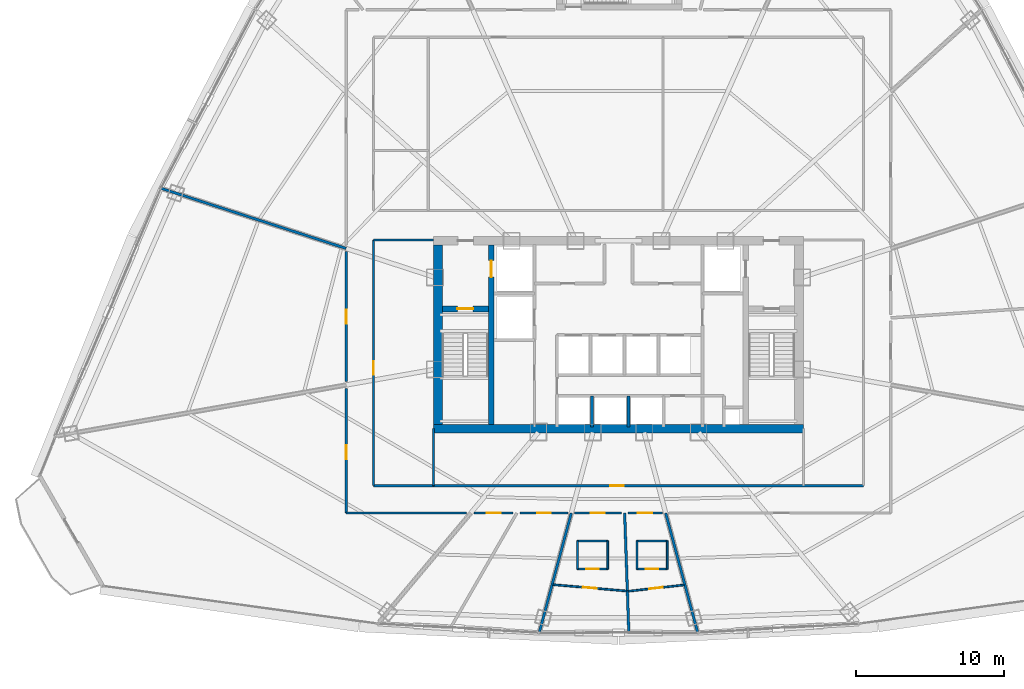
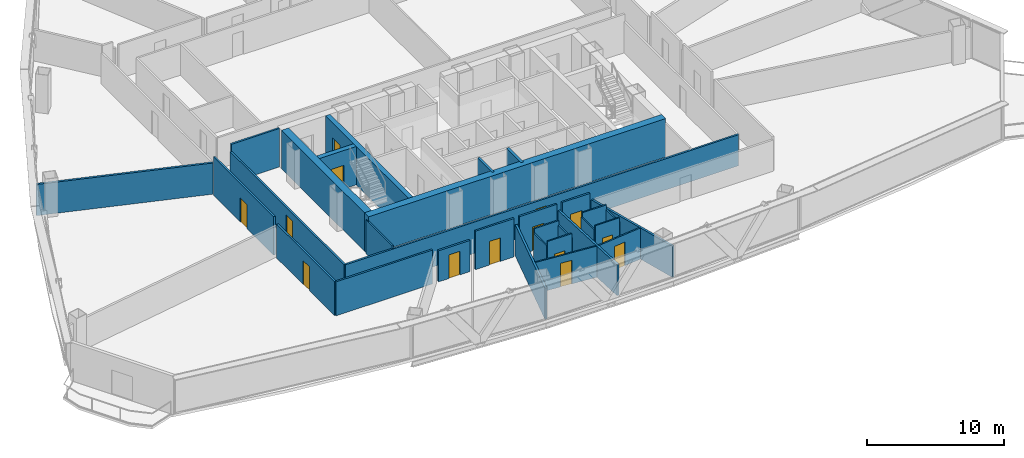
# One storey, part 32 of 39: 31 walls, 14 doors, 14 openings.
"""IFC4 building model written with IfcOpenShell, lengths in metres."""

from ifc_helpers import new_model, si_unit, direction, frame, frame_2d, origin, origin_with_axes, place, context, subcontext, project, spatial, rectangle, extrude, source, transform, mapped, material, layer, layer_set, type_object, element, fill, save


model = new_model("IFC4")

# Units and contexts
model_context = context("Model", 3, precision=1e-05, world=origin(), true_north=direction((0.0, 1.0)))
body_context = subcontext(model_context, "Body", "Model", "MODEL_VIEW")
ifc_project = project(units=[si_unit("LENGTHUNIT", "METRE"), si_unit("AREAUNIT", "SQUARE_METRE"), si_unit("VOLUMEUNIT", "CUBIC_METRE"), si_unit("PLANEANGLEUNIT", "RADIAN"), si_unit("MASSUNIT", "GRAM", prefix="KILO"), si_unit("THERMODYNAMICTEMPERATUREUNIT", "KELVIN"), si_unit("POWERUNIT", "WATT")], contexts=[model_context])

# Site, building, storey
site_placement = place(None, origin())
site = spatial("IfcSite", under=ifc_project, at=site_placement, CompositionType="ELEMENT")
building_placement = place(site_placement, origin())
building = spatial("IfcBuilding", under=site, at=building_placement, Name="Yunzhuo Pagoda Commons", CompositionType="ELEMENT")
storey_placement = place(building_placement, frame((0.0, 0.0, 166.6298828125)))
storey = spatial("IfcBuildingStorey", under=building, at=storey_placement, Name="L42", CompositionType="ELEMENT", Elevation=166.6298828125)

# Walls
ifc_material_1 = material(Name="Concrete C60", Category="concrete")
ifc_layer_1 = layer(ifc_material_1, 0.60009765625)
ifc_layer_set_1 = layer_set([ifc_layer_1], Name="Concrete C60")
wall_type_1 = type_object("IfcWallType", Name="W-C02 Mid Core Shear Wall 600", PredefinedType="SHEAR", material=ifc_layer_set_1)
wall_1_placement = place(storey_placement, frame((35.5, 27.5, 0.0), z_axis=(0.0, 0.0, 1.0), x_axis=(1.0, 0.0, 0.0)))
element("IfcWall", 1, at=wall_1_placement, inside=storey, type_object=wall_type_1, Name="L42 core shear wall S", PredefinedType="SHEAR", context=body_context, shape_type="SweptSolid", body=[
    extrude(rectangle(XDim=25.0, YDim=0.60009765625, at=frame_2d((12.5, 0.0))), origin(), (0.0, 0.0, 1.0), 3.420166015625),
])
wall_2_placement = place(storey_placement, frame((35.800048828125, 27.800048828125, 0.0), z_axis=(0.0, 0.0, 1.0), x_axis=(0.0, 1.0, 0.0)))
element("IfcWall", 2, at=wall_2_placement, inside=storey, type_object=wall_type_1, Name="L42 core shear wall W", PredefinedType="SHEAR", context=body_context, shape_type="SweptSolid", body=[
    extrude(rectangle(XDim=12.099853515625, YDim=0.60009765625, at=frame_2d((6.0498046875, 0.0))), origin(), (0.0, 0.0, 1.0), 3.420166015625),
])

# Wall, opening, door
ifc_material_2 = material(Name="Gypsum plasterboard on acoustic stud")
ifc_layer_2 = layer(ifc_material_2, 0.155029296875)
ifc_layer_set_2 = layer_set([ifc_layer_2], Name="Gypsum plasterboard on acoustic stud")
wall_type_2 = type_object("IfcWallType", Name="W-COR2 Mid-Zone Rated Corridor Wall 155", PredefinedType="PARTITIONING", material=ifc_layer_set_2)
wall_3_placement = place(storey_placement, frame((31.449951171875, 23.64990234375, 0.0), z_axis=(0.0, 0.0, 1.0), x_axis=(0.0, 1.0, 0.0)))
wall_3 = element("IfcWall", 3, at=wall_3_placement, inside=storey, type_object=wall_type_2, Name="L42 interior wall IW-L42-SFLW", PredefinedType="PARTITIONING", context=body_context, shape_type="SweptSolid", body=[
    extrude(rectangle(XDim=16.60009765625, YDim=0.155029296875, at=frame_2d((8.300048828125, 0.0))), origin(), (0.0, 0.0, 1.0), 2.77001953125),
])
opening_1_placement = place(wall_3_placement, frame((7.5, 0.0, 0.0)))
opening_1 = element("IfcOpeningElement", 4, at=opening_1_placement, cuts=wall_3, Name="Opening D-12", PredefinedType="OPENING", context=body_context, shape_type="SweptSolid", body=[
    extrude(rectangle(XDim=0.89990234375, YDim=2.080078125, at=frame_2d((0.449951171875, 1.0400390625))), frame((0.0, 0.08740234375, 0.0), z_axis=(0.0, -1.0, 0.0), x_axis=(1.0, 0.0, 0.0)), (0.0, 0.0, 1.0), 0.175048828125),
])
ifc_material_3 = material(Name="Powder-coated aluminium and timber acoustic leaf", Category="wood")
door_type_1 = type_object("IfcDoorType", Name="D-12 Quiet Study Interior Door 900x2080", OperationType="NOTDEFINED", PredefinedType="DOOR", material=ifc_material_3)
shared_shape_1 = source(origin(), body_context, "Body", "SweptSolid", [
    extrude(rectangle(XDim=0.89990234375, YDim=2.080078125, at=frame_2d((0.449951171875, 1.0400390625))), frame((0.0, 0.02490234375, 0.0), z_axis=(0.0, -1.0, 0.0), x_axis=(1.0, 0.0, 0.0)), (0.0, 0.0, 1.0), 0.050048828125),
])
door_1_placement = place(opening_1_placement, origin_with_axes())
door_1 = element("IfcDoor", 5, at=door_1_placement, inside=storey, type_object=door_type_1, Name="L42 west study workroom door", OperationType="SINGLE_SWING_LEFT", OverallHeight=2.080078125, OverallWidth=0.89990234375, PredefinedType="DOOR", context=body_context, shape_type="MappedRepresentation", body=[
    mapped(shared_shape_1, transform((0.0, 0.0, 0.0), scale=1.0)),
])
fill(opening_1, door_1)

wall_4_placement = place(storey_placement, frame((31.449951171875, 23.64990234375, 0.0), z_axis=(0.0, 0.0, 1.0), x_axis=(1.0, 0.0, 0.0)))
wall_4 = element("IfcWall", 6, at=wall_4_placement, inside=storey, type_object=wall_type_2, Name="L42 interior wall IW-L42-SFLS", PredefinedType="PARTITIONING", context=body_context, shape_type="SweptSolid", body=[
    extrude(rectangle(XDim=33.10009765625, YDim=0.155029296875, at=frame_2d((16.550048828125, 0.0))), origin(), (0.0, 0.0, 1.0), 2.77001953125),
])
opening_2_placement = place(wall_4_placement, frame((16.0, 0.0, 0.0)))
opening_2 = element("IfcOpeningElement", 7, at=opening_2_placement, cuts=wall_4, Name="Opening D-04", PredefinedType="OPENING", context=body_context, shape_type="SweptSolid", body=[
    extrude(rectangle(XDim=0.919921875, YDim=2.10009765625, at=frame_2d((0.4599609375, 1.050048828125))), frame((0.0, 0.08740234375, 0.0), z_axis=(0.0, -1.0, 0.0), x_axis=(1.0, 0.0, 0.0)), (0.0, 0.0, 1.0), 0.175048828125),
])
door_type_2 = type_object("IfcDoorType", Name="D-04 Bedroom & Study Interior Door 920x2100", OperationType="NOTDEFINED", PredefinedType="DOOR", material=ifc_material_3)
shared_shape_2 = source(origin(), body_context, "Body", "SweptSolid", [
    extrude(rectangle(XDim=0.919921875, YDim=2.10009765625, at=frame_2d((0.4599609375, 1.050048828125))), frame((0.0, 0.02490234375, 0.0), z_axis=(0.0, -1.0, 0.0), x_axis=(1.0, 0.0, 0.0)), (0.0, 0.0, 1.0), 0.050048828125),
])
door_2_placement = place(opening_2_placement, frame((0.919921875, 0.0, 0.0), z_axis=(0.0, 0.0, 1.0), x_axis=(-1.0, 0.0, 0.0)))
door_2 = element("IfcDoor", 8, at=door_2_placement, inside=storey, type_object=door_type_2, Name="L42 south seminar room door", OperationType="SINGLE_SWING_RIGHT", OverallHeight=2.10009765625, OverallWidth=0.919921875, PredefinedType="DOOR", context=body_context, shape_type="MappedRepresentation", body=[
    mapped(shared_shape_2, transform((0.0, 0.0, 0.0), scale=1.0)),
])
fill(opening_2, door_2)

# Wall
wall_5_placement = place(storey_placement, frame((31.449951171875, 40.25, 0.0), z_axis=(0.0, 0.0, 1.0), x_axis=(1.0, 0.0, 0.0)))
element("IfcWall", 9, at=wall_5_placement, inside=storey, type_object=wall_type_2, Name="L42 interior wall IW-L42-SFLNW", PredefinedType="PARTITIONING", context=body_context, shape_type="SweptSolid", body=[
    extrude(rectangle(XDim=4.050048828125, YDim=0.155029296875, at=frame_2d((2.02490234375, 0.0))), origin(), (0.0, 0.0, 1.0), 3.420166015625),
])

# Wall, opening, door
wall_6_placement = place(storey_placement, frame((29.60009765625, 21.800048828125, 0.0), z_axis=(0.0, 0.0, 1.0), x_axis=(0.0, 1.0, 0.0)))
wall_6 = element("IfcWall", 10, at=wall_6_placement, inside=storey, type_object=wall_type_2, Name="L42 interior wall IW-L42-CWL01", PredefinedType="PARTITIONING", context=body_context, shape_type="SweptSolid", body=[
    extrude(rectangle(XDim=8.43212890625, YDim=0.155029296875, at=frame_2d((4.216064453125, 0.0))), origin(), (0.0, 0.0, 1.0), 3.02001953125),
])
opening_3_placement = place(wall_6_placement, frame((3.622802734375, 0.0, 0.0)))
opening_3 = element("IfcOpeningElement", 11, at=opening_3_placement, cuts=wall_6, Name="Opening D-07", PredefinedType="OPENING", context=body_context, shape_type="SweptSolid", body=[
    extrude(rectangle(XDim=0.9599609375, YDim=2.1201171875, at=frame_2d((0.47998046875, 1.06005859375))), frame((0.0, 0.08740234375, 0.0), z_axis=(0.0, -1.0, 0.0), x_axis=(1.0, 0.0, 0.0)), (0.0, 0.0, 1.0), 0.175048828125),
])
ifc_material_4 = material(Name="Galvanized fire-resisting metal leaf")
door_type_3 = type_object("IfcDoorType", Name="D-07 Mid-Zone Suite Entrance Fire Door 960x2120", OperationType="NOTDEFINED", PredefinedType="DOOR", material=ifc_material_4)
shared_shape_3 = source(origin(), body_context, "Body", "SweptSolid", [
    extrude(rectangle(XDim=0.9599609375, YDim=2.1201171875, at=frame_2d((0.47998046875, 1.06005859375))), frame((0.0, 0.02490234375, 0.0), z_axis=(0.0, -1.0, 0.0), x_axis=(1.0, 0.0, 0.0)), (0.0, 0.0, 1.0), 0.050048828125),
])
door_3_placement = place(opening_3_placement, origin_with_axes())
door_3 = element("IfcDoor", 12, at=door_3_placement, inside=storey, type_object=door_type_3, Name="L42 unit 09 entrance door", OperationType="SINGLE_SWING_RIGHT", OverallHeight=2.1201171875, OverallWidth=0.9599609375, PredefinedType="DOOR", context=body_context, shape_type="MappedRepresentation", body=[
    mapped(shared_shape_3, transform((0.0, 0.0, 0.0), scale=1.0)),
])
fill(opening_3, door_3)

wall_7_placement = place(storey_placement, frame((29.60009765625, 30.67529296875, 0.0), z_axis=(0.0, 0.0, 1.0), x_axis=(0.0, 1.0, 0.0)))
wall_7 = element("IfcWall", 13, at=wall_7_placement, inside=storey, type_object=wall_type_2, Name="L42 interior wall IW-L42-CWL02", PredefinedType="PARTITIONING", context=body_context, shape_type="SweptSolid", body=[
    extrude(rectangle(XDim=8.783447265625, YDim=0.155029296875, at=frame_2d((4.3916015625, 0.0))), origin(), (0.0, 0.0, 1.0), 3.420166015625),
])
opening_4_placement = place(wall_7_placement, frame((3.916748046875, 0.0, 0.0)))
opening_4 = element("IfcOpeningElement", 14, at=opening_4_placement, cuts=wall_7, Name="Opening D-07", PredefinedType="OPENING", context=body_context, shape_type="SweptSolid", body=[
    extrude(rectangle(XDim=0.9599609375, YDim=2.1201171875, at=frame_2d((0.47998046875, 1.06005859375))), frame((0.0, 0.08740234375, 0.0), z_axis=(0.0, -1.0, 0.0), x_axis=(1.0, 0.0, 0.0)), (0.0, 0.0, 1.0), 0.175048828125),
])
door_4_placement = place(opening_4_placement, origin_with_axes())
door_4 = element("IfcDoor", 15, at=door_4_placement, inside=storey, type_object=door_type_3, Name="L42 unit 08 entrance door", OperationType="SINGLE_SWING_LEFT", OverallHeight=2.1201171875, OverallWidth=0.9599609375, PredefinedType="DOOR", context=body_context, shape_type="MappedRepresentation", body=[
    mapped(shared_shape_3, transform((0.0, 0.0, 0.0), scale=1.0)),
])
fill(opening_4, door_4)

wall_8_placement = place(storey_placement, frame((50.96875, 21.800048828125, 0.0), z_axis=(0.0, 0.0, 1.0), x_axis=(-1.0, 0.0, 0.0)))
wall_8 = element("IfcWall", 16, at=wall_8_placement, inside=storey, type_object=wall_type_2, Name="L42 interior wall IW-L42-CWL16", PredefinedType="PARTITIONING", context=body_context, shape_type="SweptSolid", body=[
    extrude(rectangle(XDim=2.3330078125, YDim=0.155029296875, at=frame_2d((1.16650390625, 0.0))), origin(), (0.0, 0.0, 1.0), 3.420166015625),
])
opening_5_placement = place(wall_8_placement, frame((0.691650390625, 0.0, 0.0)))
opening_5 = element("IfcOpeningElement", 17, at=opening_5_placement, cuts=wall_8, Name="Opening D-07", PredefinedType="OPENING", context=body_context, shape_type="SweptSolid", body=[
    extrude(rectangle(XDim=0.9599609375, YDim=2.1201171875, at=frame_2d((0.47998046875, 1.06005859375))), frame((0.0, 0.08740234375, 0.0), z_axis=(0.0, -1.0, 0.0), x_axis=(1.0, 0.0, 0.0)), (0.0, 0.0, 1.0), 0.175048828125),
])
door_5_placement = place(opening_5_placement, origin_with_axes())
door_5 = element("IfcDoor", 18, at=door_5_placement, inside=storey, type_object=door_type_3, Name="L42 unit 13 entrance door", OperationType="SINGLE_SWING_RIGHT", OverallHeight=2.1201171875, OverallWidth=0.9599609375, PredefinedType="DOOR", context=body_context, shape_type="MappedRepresentation", body=[
    mapped(shared_shape_3, transform((0.0, 0.0, 0.0), scale=1.0)),
])
fill(opening_5, door_5)

wall_9_placement = place(storey_placement, frame((48.19580078125, 21.800048828125, 0.0), z_axis=(0.0, 0.0, 1.0), x_axis=(-1.0, 0.0, 0.0)))
wall_9 = element("IfcWall", 19, at=wall_9_placement, inside=storey, type_object=wall_type_2, Name="L42 interior wall IW-L42-CWL17", PredefinedType="PARTITIONING", context=body_context, shape_type="SweptSolid", body=[
    extrude(rectangle(XDim=3.16455078125, YDim=0.155029296875, at=frame_2d((1.582275390625, 0.0))), origin(), (0.0, 0.0, 1.0), 3.420166015625),
])
opening_6_placement = place(wall_9_placement, frame((1.107421875, 0.0, 0.0)))
opening_6 = element("IfcOpeningElement", 20, at=opening_6_placement, cuts=wall_9, Name="Opening D-07", PredefinedType="OPENING", context=body_context, shape_type="SweptSolid", body=[
    extrude(rectangle(XDim=0.9599609375, YDim=2.1201171875, at=frame_2d((0.47998046875, 1.06005859375))), frame((0.0, 0.08740234375, 0.0), z_axis=(0.0, -1.0, 0.0), x_axis=(1.0, 0.0, 0.0)), (0.0, 0.0, 1.0), 0.175048828125),
])
door_6_placement = place(opening_6_placement, origin_with_axes())
door_6 = element("IfcDoor", 21, at=door_6_placement, inside=storey, type_object=door_type_3, Name="L42 unit 12 entrance door", OperationType="SINGLE_SWING_LEFT", OverallHeight=2.1201171875, OverallWidth=0.9599609375, PredefinedType="DOOR", context=body_context, shape_type="MappedRepresentation", body=[
    mapped(shared_shape_3, transform((0.0, 0.0, 0.0), scale=1.0)),
])
fill(opening_6, door_6)

wall_10_placement = place(storey_placement, frame((44.58349609375, 21.800048828125, 0.0), z_axis=(0.0, 0.0, 1.0), x_axis=(-1.0, 0.0, 0.0)))
wall_10 = element("IfcWall", 22, at=wall_10_placement, inside=storey, type_object=wall_type_2, Name="L42 interior wall IW-L42-CWL18", PredefinedType="PARTITIONING", context=body_context, shape_type="SweptSolid", body=[
    extrude(rectangle(XDim=3.234130859375, YDim=0.155029296875, at=frame_2d((1.6171875, 0.0))), origin(), (0.0, 0.0, 1.0), 3.420166015625),
])
opening_7_placement = place(wall_10_placement, frame((1.153076171875, 0.0, 0.0)))
opening_7 = element("IfcOpeningElement", 23, at=opening_7_placement, cuts=wall_10, Name="Opening D-04", PredefinedType="OPENING", context=body_context, shape_type="SweptSolid", body=[
    extrude(rectangle(XDim=0.919921875, YDim=2.10009765625, at=frame_2d((0.4599609375, 1.050048828125))), frame((0.0, 0.08740234375, 0.0), z_axis=(0.0, -1.0, 0.0), x_axis=(1.0, 0.0, 0.0)), (0.0, 0.0, 1.0), 0.175048828125),
])
door_7_placement = place(opening_7_placement, origin_with_axes())
door_7 = element("IfcDoor", 24, at=door_7_placement, inside=storey, type_object=door_type_2, Name="L42 fellow workroom 11 door", OperationType="SINGLE_SWING_RIGHT", OverallHeight=2.10009765625, OverallWidth=0.919921875, PredefinedType="DOOR", context=body_context, shape_type="MappedRepresentation", body=[
    mapped(shared_shape_2, transform((0.0, 0.0, 0.0), scale=1.0)),
])
fill(opening_7, door_7)

wall_11_placement = place(storey_placement, frame((40.87548828125, 21.800048828125, 0.0), z_axis=(0.0, 0.0, 1.0), x_axis=(-1.0, 0.0, 0.0)))
wall_11 = element("IfcWall", 25, at=wall_11_placement, inside=storey, type_object=wall_type_2, Name="L42 interior wall IW-L42-CWL19", PredefinedType="PARTITIONING", context=body_context, shape_type="SweptSolid", body=[
    extrude(rectangle(XDim=2.640869140625, YDim=0.155029296875, at=frame_2d((1.3203125, 0.0))), origin(), (0.0, 0.0, 1.0), 2.77001953125),
])
opening_8_placement = place(wall_11_placement, frame((0.843505859375, 0.0, 0.0)))
opening_8 = element("IfcOpeningElement", 26, at=opening_8_placement, cuts=wall_11, Name="Opening D-04", PredefinedType="OPENING", context=body_context, shape_type="SweptSolid", body=[
    extrude(rectangle(XDim=0.919921875, YDim=2.10009765625, at=frame_2d((0.4599609375, 1.050048828125))), frame((0.0, 0.08740234375, 0.0), z_axis=(0.0, -1.0, 0.0), x_axis=(1.0, 0.0, 0.0)), (0.0, 0.0, 1.0), 0.175048828125),
])
door_8_placement = place(opening_8_placement, origin_with_axes())
door_8 = element("IfcDoor", 27, at=door_8_placement, inside=storey, type_object=door_type_2, Name="L42 fellow workroom 10 door", OperationType="SINGLE_SWING_LEFT", OverallHeight=2.10009765625, OverallWidth=0.919921875, PredefinedType="DOOR", context=body_context, shape_type="MappedRepresentation", body=[
    mapped(shared_shape_2, transform((0.0, 0.0, 0.0), scale=1.0)),
])
fill(opening_8, door_8)

# Walls
wall_12_placement = place(storey_placement, frame((37.7275390625, 21.800048828125, 0.0), z_axis=(0.0, 0.0, 1.0), x_axis=(-1.0, 0.0, 0.0)))
element("IfcWall", 28, at=wall_12_placement, inside=storey, type_object=wall_type_2, Name="L42 interior wall IW-L42-CWL20", PredefinedType="PARTITIONING", context=body_context, shape_type="SweptSolid", body=[
    extrude(rectangle(XDim=8.12744140625, YDim=0.155029296875, at=frame_2d((4.063720703125, 0.0))), origin(), (0.0, 0.0, 1.0), 3.02001953125),
])
ifc_layer_3 = layer(ifc_material_2, 0.1201171875)
ifc_layer_set_3 = layer_set([ifc_layer_3], Name="Gypsum plasterboard on acoustic stud")
wall_type_3 = type_object("IfcWallType", Name="W-PRT1 Suite & Bathroom Partition 120", PredefinedType="PARTITIONING", material=ifc_layer_set_3)
wall_13_placement = place(storey_placement, frame((35.5, 23.64990234375, 0.0), z_axis=(0.0, 0.0, 1.0), x_axis=(0.0, 1.0, 0.0)))
element("IfcWall", 29, at=wall_13_placement, inside=storey, type_object=wall_type_3, Name="L42 interior wall IW-L42-SFLD1", PredefinedType="PARTITIONING", context=body_context, shape_type="SweptSolid", body=[
    extrude(rectangle(XDim=3.85009765625, YDim=0.1201171875, at=frame_2d((1.925048828125, 0.0))), origin(), (0.0, 0.0, 1.0), 3.02001953125),
])

# Wall, opening, door
wall_14_placement = place(storey_placement, frame((45.22900390625, 18.02001953125, 0.0), z_axis=(0.0, 0.0, 1.0), x_axis=(1.0, 0.0, 0.0)))
wall_14 = element("IfcWall", 30, at=wall_14_placement, inside=storey, type_object=wall_type_3, Name="L42 interior wall IW-L42-B12S", PredefinedType="PARTITIONING", context=body_context, shape_type="SweptSolid", body=[
    extrude(rectangle(XDim=2.050048828125, YDim=0.1201171875, at=frame_2d((1.02490234375, 0.0))), origin(), (0.0, 0.0, 1.0), 3.420166015625),
])
opening_9_placement = place(wall_14_placement, frame((0.60009765625, 0.0, 0.0)))
opening_9 = element("IfcOpeningElement", 31, at=opening_9_placement, cuts=wall_14, Name="Opening D-05", PredefinedType="OPENING", context=body_context, shape_type="SweptSolid", body=[
    extrude(rectangle(XDim=0.85009765625, YDim=2.10009765625, at=frame_2d((0.425048828125, 1.050048828125))), frame((0.0, 0.070068359375, 0.0), z_axis=(0.0, -1.0, 0.0), x_axis=(1.0, 0.0, 0.0)), (0.0, 0.0, 1.0), 0.14013671875),
])
door_type_4 = type_object("IfcDoorType", Name="D-05 En-Suite Bathroom Door 850x2100", OperationType="NOTDEFINED", PredefinedType="DOOR", material=ifc_material_3)
shared_shape_4 = source(origin(), body_context, "Body", "SweptSolid", [
    extrude(rectangle(XDim=0.85009765625, YDim=2.10009765625, at=frame_2d((0.425048828125, 1.050048828125))), frame((0.0, 0.02490234375, 0.0), z_axis=(0.0, -1.0, 0.0), x_axis=(1.0, 0.0, 0.0)), (0.0, 0.0, 1.0), 0.050048828125),
])
door_9_placement = place(opening_9_placement, frame((0.85009765625, 0.0, 0.0), z_axis=(0.0, 0.0, 1.0), x_axis=(-1.0, 0.0, 0.0)))
door_9 = element("IfcDoor", 32, at=door_9_placement, inside=storey, type_object=door_type_4, Name="L42 unit 12 bathroom door", OperationType="SINGLE_SWING_LEFT", OverallHeight=2.10009765625, OverallWidth=0.85009765625, PredefinedType="DOOR", context=body_context, shape_type="MappedRepresentation", body=[
    mapped(shared_shape_4, transform((0.0, 0.0, 0.0), scale=1.0)),
])
fill(opening_9, door_9)

# Walls
wall_15_placement = place(storey_placement, frame((47.279052734375, 18.02001953125, 0.0), z_axis=(0.0, 0.0, 1.0), x_axis=(0.0, 1.0, 0.0)))
element("IfcWall", 33, at=wall_15_placement, inside=storey, type_object=wall_type_3, Name="L42 interior wall IW-L42-B12E", PredefinedType="PARTITIONING", context=body_context, shape_type="SweptSolid", body=[
    extrude(rectangle(XDim=1.89990234375, YDim=0.1201171875, at=frame_2d((0.949951171875, 0.0))), origin(), (0.0, 0.0, 1.0), 3.02001953125),
])
wall_16_placement = place(storey_placement, frame((47.279052734375, 19.919921875, 0.0), z_axis=(0.0, 0.0, 1.0), x_axis=(-1.0, 0.0, 0.0)))
element("IfcWall", 34, at=wall_16_placement, inside=storey, type_object=wall_type_3, Name="L42 interior wall IW-L42-B12N", PredefinedType="PARTITIONING", context=body_context, shape_type="SweptSolid", body=[
    extrude(rectangle(XDim=2.050048828125, YDim=0.1201171875, at=frame_2d((1.02490234375, 0.0))), origin(), (0.0, 0.0, 1.0), 3.420166015625),
])
wall_17_placement = place(storey_placement, frame((45.22900390625, 19.919921875, 0.0), z_axis=(0.0, 0.0, 1.0), x_axis=(0.0, -1.0, 0.0)))
element("IfcWall", 35, at=wall_17_placement, inside=storey, type_object=wall_type_3, Name="L42 interior wall IW-L42-B12W", PredefinedType="PARTITIONING", context=body_context, shape_type="SweptSolid", body=[
    extrude(rectangle(XDim=1.89990234375, YDim=0.1201171875, at=frame_2d((0.949951171875, 0.0))), origin(), (0.0, 0.0, 1.0), 3.02001953125),
])

# Wall, opening, door
wall_18_placement = place(storey_placement, frame((43.577392578125, 16.96240234375, 0.0), z_axis=(0.0, 0.0, 1.0), x_axis=(0.996284419504, -0.086124070114, 0.0)))
wall_18 = element("IfcWall", 36, at=wall_18_placement, inside=storey, type_object=wall_type_3, Name="L42 interior wall IW-L42-CLB12", PredefinedType="PARTITIONING", context=body_context, shape_type="SweptSolid", body=[
    extrude(rectangle(XDim=4.980712890625, YDim=0.1201171875, at=frame_2d((2.490234375, 0.0))), origin(), (0.0, 0.0, 1.0), 2.77001953125),
])
opening_10_placement = place(wall_18_placement, frame((2.030517578125, 0.0, 0.0)))
opening_10 = element("IfcOpeningElement", 37, at=opening_10_placement, cuts=wall_18, Name="Opening D-04", PredefinedType="OPENING", context=body_context, shape_type="SweptSolid", body=[
    extrude(rectangle(XDim=0.919921875, YDim=2.10009765625, at=frame_2d((0.4599609375, 1.050048828125))), frame((0.0, 0.070068359375, 0.0), z_axis=(0.0, -1.0, 0.0), x_axis=(1.0, 0.0, 0.0)), (0.0, 0.0, 1.0), 0.14013671875),
])
door_10_placement = place(opening_10_placement, origin_with_axes())
door_10 = element("IfcDoor", 38, at=door_10_placement, inside=storey, type_object=door_type_2, Name="L42 suite 12 bedroom door", OperationType="SINGLE_SWING_LEFT", OverallHeight=2.10009765625, OverallWidth=0.919921875, PredefinedType="DOOR", context=body_context, shape_type="MappedRepresentation", body=[
    mapped(shared_shape_2, transform((0.0, 0.0, 0.0), scale=1.0)),
])
fill(opening_10, door_10)

wall_19_placement = place(storey_placement, frame((49.24609375, 18.01708984375, 0.0), z_axis=(0.0, 0.0, 1.0), x_axis=(1.0, 0.0, 0.0)))
wall_19 = element("IfcWall", 39, at=wall_19_placement, inside=storey, type_object=wall_type_3, Name="L42 interior wall IW-L42-B13S", PredefinedType="PARTITIONING", context=body_context, shape_type="SweptSolid", body=[
    extrude(rectangle(XDim=2.0498046875, YDim=0.1201171875, at=frame_2d((1.02490234375, 0.0))), origin(), (0.0, 0.0, 1.0), 3.420166015625),
])
opening_11_placement = place(wall_19_placement, frame((0.60009765625, 0.0, 0.0)))
opening_11 = element("IfcOpeningElement", 40, at=opening_11_placement, cuts=wall_19, Name="Opening D-05", PredefinedType="OPENING", context=body_context, shape_type="SweptSolid", body=[
    extrude(rectangle(XDim=0.85009765625, YDim=2.10009765625, at=frame_2d((0.425048828125, 1.050048828125))), frame((0.0, 0.070068359375, 0.0), z_axis=(0.0, -1.0, 0.0), x_axis=(1.0, 0.0, 0.0)), (0.0, 0.0, 1.0), 0.14013671875),
])
door_11_placement = place(opening_11_placement, frame((0.85009765625, 0.0, 0.0), z_axis=(0.0, 0.0, 1.0), x_axis=(-1.0, 0.0, 0.0)))
door_11 = element("IfcDoor", 41, at=door_11_placement, inside=storey, type_object=door_type_4, Name="L42 unit 13 bathroom door", OperationType="SINGLE_SWING_RIGHT", OverallHeight=2.10009765625, OverallWidth=0.85009765625, PredefinedType="DOOR", context=body_context, shape_type="MappedRepresentation", body=[
    mapped(shared_shape_4, transform((0.0, 0.0, 0.0), scale=1.0)),
])
fill(opening_11, door_11)

# Walls
wall_20_placement = place(storey_placement, frame((51.2958984375, 18.01708984375, 0.0), z_axis=(0.0, 0.0, 1.0), x_axis=(0.0, 1.0, 0.0)))
element("IfcWall", 42, at=wall_20_placement, inside=storey, type_object=wall_type_3, Name="L42 interior wall IW-L42-B13E", PredefinedType="PARTITIONING", context=body_context, shape_type="SweptSolid", body=[
    extrude(rectangle(XDim=1.89990234375, YDim=0.1201171875, at=frame_2d((0.949951171875, 0.0))), origin(), (0.0, 0.0, 1.0), 3.02001953125),
])
wall_21_placement = place(storey_placement, frame((51.2958984375, 19.9169921875, 0.0), z_axis=(0.0, 0.0, 1.0), x_axis=(-1.0, 0.0, 0.0)))
element("IfcWall", 43, at=wall_21_placement, inside=storey, type_object=wall_type_3, Name="L42 interior wall IW-L42-B13N", PredefinedType="PARTITIONING", context=body_context, shape_type="SweptSolid", body=[
    extrude(rectangle(XDim=2.0498046875, YDim=0.1201171875, at=frame_2d((1.02490234375, 0.0))), origin(), (0.0, 0.0, 1.0), 3.420166015625),
])
wall_22_placement = place(storey_placement, frame((49.24609375, 19.9169921875, 0.0), z_axis=(0.0, 0.0, 1.0), x_axis=(0.0, -1.0, 0.0)))
element("IfcWall", 44, at=wall_22_placement, inside=storey, type_object=wall_type_3, Name="L42 interior wall IW-L42-B13W", PredefinedType="PARTITIONING", context=body_context, shape_type="SweptSolid", body=[
    extrude(rectangle(XDim=1.89990234375, YDim=0.1201171875, at=frame_2d((0.949951171875, 0.0))), origin(), (0.0, 0.0, 1.0), 3.02001953125),
])

# Wall, opening, door
wall_23_placement = place(storey_placement, frame((48.66015625, 16.518310546875, 0.0), z_axis=(0.0, 0.0, 1.0), x_axis=(0.993740790244, 0.111710526829, 0.0)))
wall_23 = element("IfcWall", 45, at=wall_23_placement, inside=storey, type_object=wall_type_3, Name="L42 interior wall IW-L42-CLB13", PredefinedType="PARTITIONING", context=body_context, shape_type="SweptSolid", body=[
    extrude(rectangle(XDim=3.791748046875, YDim=0.1201171875, at=frame_2d((1.89599609375, 0.0))), origin(), (0.0, 0.0, 1.0), 2.77001953125),
])
opening_12_placement = place(wall_23_placement, frame((1.435791015625, 0.0, 0.0)))
opening_12 = element("IfcOpeningElement", 46, at=opening_12_placement, cuts=wall_23, Name="Opening D-04", PredefinedType="OPENING", context=body_context, shape_type="SweptSolid", body=[
    extrude(rectangle(XDim=0.919921875, YDim=2.10009765625, at=frame_2d((0.4599609375, 1.050048828125))), frame((0.0, 0.070068359375, 0.0), z_axis=(0.0, -1.0, 0.0), x_axis=(1.0, 0.0, 0.0)), (0.0, 0.0, 1.0), 0.14013671875),
])
door_12_placement = place(opening_12_placement, origin_with_axes())
door_12 = element("IfcDoor", 47, at=door_12_placement, inside=storey, type_object=door_type_2, Name="L42 suite 13 bedroom door", OperationType="SINGLE_SWING_RIGHT", OverallHeight=2.10009765625, OverallWidth=0.919921875, PredefinedType="DOOR", context=body_context, shape_type="MappedRepresentation", body=[
    mapped(shared_shape_2, transform((0.0, 0.0, 0.0), scale=1.0)),
])
fill(opening_12, door_12)

# Walls
ifc_layer_4 = layer(ifc_material_2, 0.175048828125)
ifc_layer_set_4 = layer_set([ifc_layer_4], Name="Gypsum plasterboard on acoustic stud")
wall_type_4 = type_object("IfcWallType", Name="W-PRT3 Mid-Zone Demising Wall 175", PredefinedType="PARTITIONING", material=ifc_layer_set_4)
wall_24_placement = place(storey_placement, frame((29.60009765625, 39.678466796875, 0.0), z_axis=(0.0, 0.0, 1.0), x_axis=(-0.951058745875, 0.309010132349, 0.0)))
element("IfcWall", 48, at=wall_24_placement, inside=storey, type_object=wall_type_4, Name="L42 interior wall IW-L42-RAD08", PredefinedType="PARTITIONING", context=body_context, shape_type="SweptSolid", body=[
    extrude(rectangle(XDim=13.157958984375, YDim=0.175048828125, at=frame_2d((6.5791015625, 0.0))), origin(), (0.0, 0.0, 1.0), 2.77001953125),
])
wall_25_placement = place(storey_placement, frame((44.811279296875, 21.800048828125, 0.0), z_axis=(0.0, 0.0, 1.0), x_axis=(-0.258819593461, -0.965925679357, 0.0)))
element("IfcWall", 49, at=wall_25_placement, inside=storey, type_object=wall_type_4, Name="L42 interior wall IW-L42-RAD12", PredefinedType="PARTITIONING", context=body_context, shape_type="SweptSolid", body=[
    extrude(rectangle(XDim=8.378173828125, YDim=0.175048828125, at=frame_2d((4.18896484375, 0.0))), origin(), (0.0, 0.0, 1.0), 2.77001953125),
])
wall_26_placement = place(storey_placement, frame((48.41552734375, 21.800048828125, 0.0), z_axis=(0.0, 0.0, 1.0), x_axis=(0.034912936952, -0.999390357585, 0.0)))
element("IfcWall", 50, at=wall_26_placement, inside=storey, type_object=wall_type_4, Name="L42 interior wall IW-L42-RAD13", PredefinedType="PARTITIONING", context=body_context, shape_type="SweptSolid", body=[
    extrude(rectangle(XDim=8.09765625, YDim=0.175048828125, at=frame_2d((4.048828125, 0.0))), origin(), (0.0, 0.0, 1.0), 2.77001953125),
])
wall_27_placement = place(storey_placement, frame((51.188720703125, 21.800048828125, 0.0), z_axis=(0.0, 0.0, 1.0), x_axis=(0.258819593461, -0.965925679357, 0.0)))
element("IfcWall", 51, at=wall_27_placement, inside=storey, type_object=wall_type_4, Name="L42 interior wall IW-L42-RAD14", PredefinedType="PARTITIONING", context=body_context, shape_type="SweptSolid", body=[
    extrude(rectangle(XDim=8.378173828125, YDim=0.175048828125, at=frame_2d((4.18896484375, 0.0))), origin(), (0.0, 0.0, 1.0), 2.77001953125),
])

# Wall, opening, door
ifc_layer_5 = layer(ifc_material_1, 0.39990234375)
ifc_layer_set_5 = layer_set([ifc_layer_5], Name="Concrete C60")
wall_type_5 = type_object("IfcWallType", Name="W-S01 Internal Core Shear Web 400", PredefinedType="SHEAR", material=ifc_layer_set_5)
wall_28_placement = place(storey_placement, frame((39.39990234375, 27.800048828125, 0.0), z_axis=(0.0, 0.0, 1.0), x_axis=(0.0, 1.0, 0.0)))
wall_28 = element("IfcWall", 52, at=wall_28_placement, inside=storey, type_object=wall_type_5, Name="L42 core shear wall WEBW", PredefinedType="SHEAR", context=body_context, shape_type="SweptSolid", body=[
    extrude(rectangle(XDim=12.099853515625, YDim=0.39990234375, at=frame_2d((6.0498046875, 0.0))), origin(), (0.0, 0.0, 1.0), 3.420166015625),
])
opening_13_placement = place(wall_28_placement, frame((9.949951171875, 0.0, 0.0)))
opening_13 = element("IfcOpeningElement", 53, at=opening_13_placement, cuts=wall_28, Name="Opening LD-01", PredefinedType="OPENING", context=body_context, shape_type="SweptSolid", body=[
    extrude(rectangle(XDim=1.10009765625, YDim=2.10009765625, at=frame_2d((0.550048828125, 1.050048828125))), frame((0.0, 0.2099609375, 0.0), z_axis=(0.0, -1.0, 0.0), x_axis=(1.0, 0.0, 0.0)), (0.0, 0.0, 1.0), 0.419921875),
])
door_type_5 = type_object("IfcDoorType", Name="LD-01 Firefighting Lift Landing Door 1100x2100", OperationType="DOUBLE_DOOR_SLIDING", PredefinedType="DOOR", material=ifc_material_4)
shared_shape_5 = source(origin(), body_context, "Body", "SweptSolid", [
    extrude(rectangle(XDim=1.10009765625, YDim=2.10009765625, at=frame_2d((0.550048828125, 1.050048828125))), frame((0.0, 0.02490234375, 0.0), z_axis=(0.0, -1.0, 0.0), x_axis=(1.0, 0.0, 0.0)), (0.0, 0.0, 1.0), 0.050048828125),
])
door_13_placement = place(opening_13_placement, frame((1.10009765625, 0.0, 0.0), z_axis=(0.0, 0.0, 1.0), x_axis=(-1.0, 0.0, 0.0)))
door_13 = element("IfcDoor", 54, at=door_13_placement, inside=storey, type_object=door_type_5, Name="L42 Firefighting lift FL-1 landing door", OperationType="DOUBLE_DOOR_SLIDING", OverallHeight=2.10009765625, OverallWidth=1.10009765625, PredefinedType="DOOR", context=body_context, shape_type="MappedRepresentation", body=[
    mapped(shared_shape_5, transform((0.0, 0.0, 0.0), scale=1.0)),
])
fill(opening_13, door_13)

wall_29_placement = place(storey_placement, frame((36.10009765625, 35.60009765625, 0.0), z_axis=(0.0, 0.0, 1.0), x_axis=(1.0, 0.0, 0.0)))
wall_29 = element("IfcWall", 55, at=wall_29_placement, inside=storey, type_object=wall_type_5, Name="L42 core shear wall STW", PredefinedType="SHEAR", context=body_context, shape_type="SweptSolid", body=[
    extrude(rectangle(XDim=3.099853515625, YDim=0.39990234375, at=frame_2d((1.5498046875, 0.0))), origin(), (0.0, 0.0, 1.0), 3.420166015625),
])
opening_14_placement = place(wall_29_placement, frame((1.02001953125, 0.0, 0.0)))
opening_14 = element("IfcOpeningElement", 56, at=opening_14_placement, cuts=wall_29, Name="Opening D-01", PredefinedType="OPENING", context=body_context, shape_type="SweptSolid", body=[
    extrude(rectangle(XDim=1.050048828125, YDim=2.10009765625, at=frame_2d((0.52490234375, 1.050048828125))), frame((0.0, 0.2099609375, 0.0), z_axis=(0.0, -1.0, 0.0), x_axis=(1.0, 0.0, 0.0)), (0.0, 0.0, 1.0), 0.419921875),
])
door_type_6 = type_object("IfcDoorType", Name="D-01 Smokeproof Stair Fire Door 1050x2100", OperationType="NOTDEFINED", PredefinedType="DOOR", material=ifc_material_4)
shared_shape_6 = source(origin(), body_context, "Body", "SweptSolid", [
    extrude(rectangle(XDim=1.050048828125, YDim=2.10009765625, at=frame_2d((0.52490234375, 1.050048828125))), frame((0.0, 0.02490234375, 0.0), z_axis=(0.0, -1.0, 0.0), x_axis=(1.0, 0.0, 0.0)), (0.0, 0.0, 1.0), 0.050048828125),
])
door_14_placement = place(opening_14_placement, frame((1.050048828125, 0.0, 0.0), z_axis=(0.0, 0.0, 1.0), x_axis=(-1.0, 0.0, 0.0)))
door_14 = element("IfcDoor", 57, at=door_14_placement, inside=storey, type_object=door_type_6, Name="L42 Stair ST1 fire door", OperationType="SINGLE_SWING_LEFT", OverallHeight=2.10009765625, OverallWidth=1.050048828125, PredefinedType="DOOR", context=body_context, shape_type="MappedRepresentation", body=[
    mapped(shared_shape_6, transform((0.0, 0.0, 0.0), scale=1.0)),
])
fill(opening_14, door_14)

# Walls
ifc_material_5 = material(Name="Concrete C40", Category="concrete")
ifc_layer_6 = layer(ifc_material_5, 0.199951171875)
ifc_layer_set_6 = layer_set([ifc_layer_6], Name="Concrete C40")
wall_type_6 = type_object("IfcWallType", Name="W-SHF Shaft & Stair Enclosure Wall 200", PredefinedType="SOLIDWALL", material=ifc_layer_set_6)
for number, where, z_axis, x_axis, name in (
    (58, (46.22509765625, 27.60009765625, 0.0), (0.0, 0.0, 1.0), (0.0, 1.0, 0.0), "L42 interior wall IW-L42-PLHD1"),
    (59, (48.675048828125, 27.60009765625, 0.0), (0.0, 0.0, 1.0), (0.0, 1.0, 0.0), "L42 interior wall IW-L42-PLHD2"),
):
    element("IfcWall", number, at=place(storey_placement, frame(where, z_axis=z_axis, x_axis=x_axis)), inside=storey, type_object=wall_type_6, Name=name, PredefinedType="SOLIDWALL", context=body_context, shape_type="SweptSolid", body=[
        extrude(rectangle(XDim=2.119873046875, YDim=0.199951171875, at=frame_2d((1.06005859375, 0.0))), origin(), (0.0, 0.0, 1.0), 3.420166015625),
    ])

save(model, "model.ifc")
